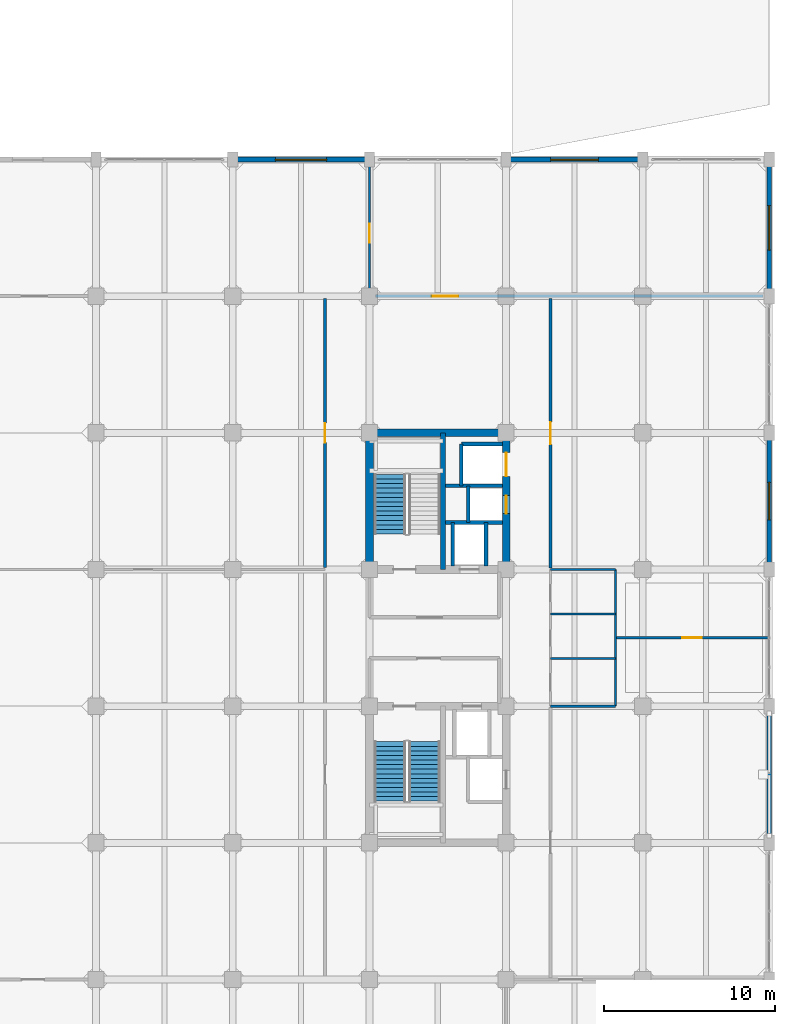
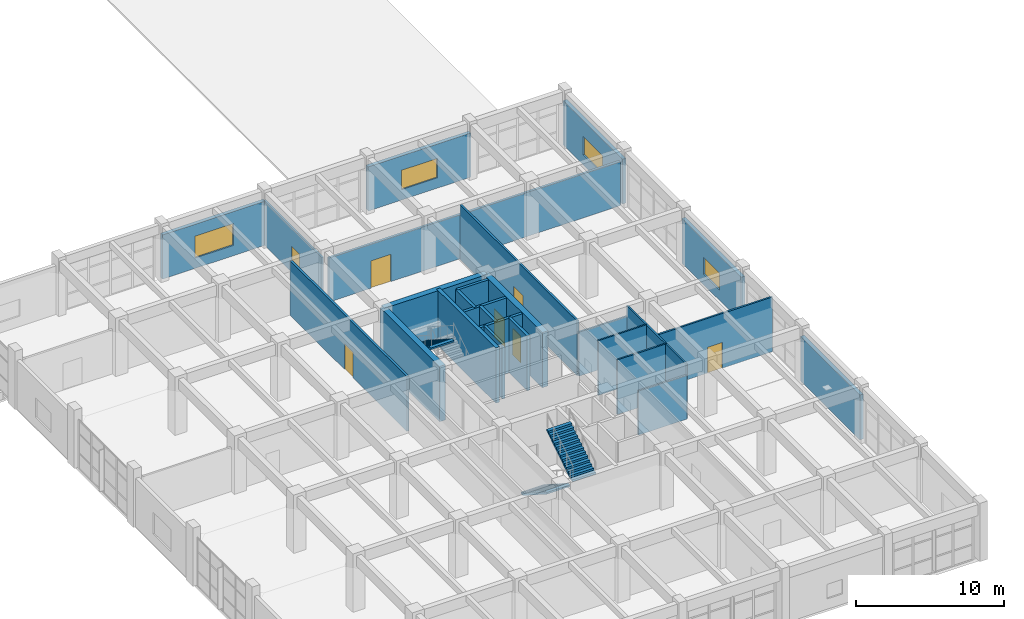
# One storey, part 53 of 63: 26 walls, 7 doors, 4 windows, 3 stair flights, 11 openings, 2 elements without a shape of their own.
"""IFC4 building model written with IfcOpenShell, lengths in metres."""

from ifc_helpers import new_model, si_unit, direction, frame, frame_2d, origin, place, context, subcontext, project, spatial, polyline, rectangle, outline, extrude, material, layer, layer_set, type_object, element, fill, aggregate, save


model = new_model("IFC4")

# Units and contexts
model_context = context("Model", 3, precision=1e-05, world=origin(), true_north=direction((0.0, 1.0)))
body_context = subcontext(model_context, "Body", "Model", "MODEL_VIEW")
ifc_project = project(units=[si_unit("LENGTHUNIT", "METRE"), si_unit("AREAUNIT", "SQUARE_METRE"), si_unit("VOLUMEUNIT", "CUBIC_METRE"), si_unit("PLANEANGLEUNIT", "RADIAN"), si_unit("MASSUNIT", "GRAM", prefix="KILO")], contexts=[model_context])

# Site, building, storey
site_placement = place(None, origin())
site = spatial("IfcSite", under=ifc_project, at=site_placement, CompositionType="ELEMENT")
building_placement = place(site_placement, origin())
building = spatial("IfcBuilding", under=site, at=building_placement, Name="Canggui Botanical Conservatory", CompositionType="ELEMENT")
storey_placement = place(building_placement, frame((0.0, 0.0, 10.199951171875)))
storey = spatial("IfcBuildingStorey", under=building, at=storey_placement, Name="L03", CompositionType="ELEMENT", Elevation=10.199951171875)

# Wall, opening, window
ifc_material_1 = material(Name="Precast Concrete C40", Category="concrete")
ifc_layer_1 = layer(ifc_material_1, 0.280029296875, Name="Precast Concrete C40", Category="concrete")
ifc_layer_set_1 = layer_set([ifc_layer_1], Name="Precast Concrete C40")
wall_type_1 = type_object("IfcWallType", Name="EW-280", PredefinedType="STANDARD", material=ifc_layer_set_1)
wall_1_placement = place(storey_placement, frame((146.0, 82.0, 0.0), z_axis=(0.0, 0.0, 1.0), x_axis=(1.0, 0.0, 0.0)))
wall_1 = element("IfcWall", 1, at=wall_1_placement, inside=storey, type_object=wall_type_1, Name="Tower Insulated Exterior Wall L03-N16", PredefinedType="STANDARD", context=body_context, shape_type="SweptSolid", body=[
    extrude(rectangle(XDim=8.0, YDim=0.280029296875, at=frame_2d((4.0, 0.0))), origin(), (0.0, 0.0, 1.0), 3.630126953125),
])
opening_1_placement = place(wall_1_placement, frame((2.5, 0.0, 0.85009765625)))
opening_1 = element("IfcOpeningElement", 2, at=opening_1_placement, cuts=wall_1, Name="Opening W-07", PredefinedType="OPENING", context=body_context, shape_type="SweptSolid", body=[
    extrude(rectangle(XDim=3.0, YDim=1.800048828125, at=frame_2d((1.5, 0.89990234375))), frame((0.0, 0.14990234375, 0.0), z_axis=(0.0, -1.0, 0.0), x_axis=(1.0, 0.0, 0.0)), (0.0, 0.0, 1.0), 0.300048828125),
])
ifc_material_2 = material(Name="Low-E Insulated Glass", Category="glass")
window_type_1 = type_object("IfcWindowType", Name="WIN-07", PartitioningType="TRIPLE_PANEL_VERTICAL", PredefinedType="WINDOW", material=ifc_material_2)
window_1_placement = place(opening_1_placement, origin())
window_1 = element("IfcWindow", 3, at=window_1_placement, inside=storey, type_object=window_type_1, Name="Tower Window L03-16", OverallHeight=1.800048828125, OverallWidth=3.0, PartitioningType="SINGLE_PANEL", PredefinedType="WINDOW", context=body_context, shape_type="SweptSolid", body=[
    extrude(rectangle(XDim=3.0, YDim=1.800048828125, at=frame_2d((1.5, 0.89990234375))), frame((0.0, 0.030029296875, 0.0), z_axis=(0.0, -1.0, 0.0), x_axis=(1.0, 0.0, 0.0)), (0.0, 0.0, 1.0), 0.06005859375),
])
fill(opening_1, window_1)

wall_2_placement = place(storey_placement, frame((162.0, 82.0, 0.0), z_axis=(0.0, 0.0, 1.0), x_axis=(1.0, 0.0, 0.0)))
wall_2 = element("IfcWall", 4, at=wall_2_placement, inside=storey, type_object=wall_type_1, Name="Tower Insulated Exterior Wall L03-N18", PredefinedType="STANDARD", context=body_context, shape_type="SweptSolid", body=[
    extrude(rectangle(XDim=8.0, YDim=0.280029296875, at=frame_2d((4.0, 0.0))), origin(), (0.0, 0.0, 1.0), 3.630126953125),
])
opening_2_placement = place(wall_2_placement, frame((2.60009765625, 0.0, 0.85009765625)))
opening_2 = element("IfcOpeningElement", 5, at=opening_2_placement, cuts=wall_2, Name="Opening W-08", PredefinedType="OPENING", context=body_context, shape_type="SweptSolid", body=[
    extrude(rectangle(XDim=2.800048828125, YDim=1.60009765625, at=frame_2d((1.39990234375, 0.800048828125))), frame((0.0, 0.14990234375, 0.0), z_axis=(0.0, -1.0, 0.0), x_axis=(1.0, 0.0, 0.0)), (0.0, 0.0, 1.0), 0.300048828125),
])
window_type_2 = type_object("IfcWindowType", Name="WIN-08", PartitioningType="TRIPLE_PANEL_VERTICAL", PredefinedType="WINDOW", material=ifc_material_2)
window_2_placement = place(opening_2_placement, origin())
window_2 = element("IfcWindow", 6, at=window_2_placement, inside=storey, type_object=window_type_2, Name="Tower Window L03-18", OverallHeight=1.60009765625, OverallWidth=2.800048828125, PartitioningType="SINGLE_PANEL", PredefinedType="WINDOW", context=body_context, shape_type="SweptSolid", body=[
    extrude(rectangle(XDim=2.800048828125, YDim=1.60009765625, at=frame_2d((1.39990234375, 0.800048828125))), frame((0.0, 0.030029296875, 0.0), z_axis=(0.0, -1.0, 0.0), x_axis=(1.0, 0.0, 0.0)), (0.0, 0.0, 1.0), 0.06005859375),
])
fill(opening_2, window_2)

wall_3_placement = place(storey_placement, frame((177.39990234375, 82.0, 0.0), z_axis=(0.0, 0.0, 1.0), x_axis=(0.0, -1.0, 0.0)))
wall_3 = element("IfcWall", 7, at=wall_3_placement, inside=storey, type_object=wall_type_1, Name="Tower Insulated Exterior Wall L03-E20", PredefinedType="STANDARD", context=body_context, shape_type="SweptSolid", body=[
    extrude(rectangle(XDim=8.0, YDim=0.280029296875, at=frame_2d((4.0, 0.0))), origin(), (0.0, 0.0, 1.0), 3.679931640625),
])
opening_3_placement = place(wall_3_placement, frame((2.699951171875, 0.0, 0.85009765625)))
opening_3 = element("IfcOpeningElement", 8, at=opening_3_placement, cuts=wall_3, Name="Opening W-09", PredefinedType="OPENING", context=body_context, shape_type="SweptSolid", body=[
    extrude(rectangle(XDim=2.60009765625, YDim=1.5, at=frame_2d((1.300048828125, 0.75))), frame((0.0, 0.14990234375, 0.0), z_axis=(0.0, -1.0, 0.0), x_axis=(1.0, 0.0, 0.0)), (0.0, 0.0, 1.0), 0.300048828125),
])
window_type_3 = type_object("IfcWindowType", Name="WIN-09", PartitioningType="DOUBLE_PANEL_VERTICAL", PredefinedType="WINDOW", material=ifc_material_2)
window_3_placement = place(opening_3_placement, origin())
window_3 = element("IfcWindow", 9, at=window_3_placement, inside=storey, type_object=window_type_3, Name="Tower Window L03-20", OverallHeight=1.5, OverallWidth=2.60009765625, PartitioningType="SINGLE_PANEL", PredefinedType="WINDOW", context=body_context, shape_type="SweptSolid", body=[
    extrude(rectangle(XDim=2.60009765625, YDim=1.5, at=frame_2d((1.300048828125, 0.75))), frame((0.0, 0.030029296875, 0.0), z_axis=(0.0, -1.0, 0.0), x_axis=(1.0, 0.0, 0.0)), (0.0, 0.0, 1.0), 0.06005859375),
])
fill(opening_3, window_3)

wall_4_placement = place(storey_placement, frame((177.39990234375, 66.0, 0.0), z_axis=(0.0, 0.0, 1.0), x_axis=(0.0, -1.0, 0.0)))
wall_4 = element("IfcWall", 10, at=wall_4_placement, inside=storey, type_object=wall_type_1, Name="Tower Insulated Exterior Wall L03-E22", PredefinedType="STANDARD", context=body_context, shape_type="SweptSolid", body=[
    extrude(rectangle(XDim=8.0, YDim=0.280029296875, at=frame_2d((4.0, 0.0))), origin(), (0.0, 0.0, 1.0), 3.679931640625),
])
opening_4_placement = place(wall_4_placement, frame((2.89990234375, 0.0, 0.85009765625)))
opening_4 = element("IfcOpeningElement", 11, at=opening_4_placement, cuts=wall_4, Name="Opening W-10", PredefinedType="OPENING", context=body_context, shape_type="SweptSolid", body=[
    extrude(rectangle(XDim=2.199951171875, YDim=1.39990234375, at=frame_2d((1.10009765625, 0.699951171875))), frame((0.0, 0.14990234375, 0.0), z_axis=(0.0, -1.0, 0.0), x_axis=(1.0, 0.0, 0.0)), (0.0, 0.0, 1.0), 0.300048828125),
])
window_type_4 = type_object("IfcWindowType", Name="WIN-10", PartitioningType="DOUBLE_PANEL_VERTICAL", PredefinedType="WINDOW", material=ifc_material_2)
window_4_placement = place(opening_4_placement, origin())
window_4 = element("IfcWindow", 12, at=window_4_placement, inside=storey, type_object=window_type_4, Name="Tower Window L03-22", OverallHeight=1.39990234375, OverallWidth=2.199951171875, PartitioningType="SINGLE_PANEL", PredefinedType="WINDOW", context=body_context, shape_type="SweptSolid", body=[
    extrude(rectangle(XDim=2.199951171875, YDim=1.39990234375, at=frame_2d((1.10009765625, 0.699951171875))), frame((0.0, 0.030029296875, 0.0), z_axis=(0.0, -1.0, 0.0), x_axis=(1.0, 0.0, 0.0)), (0.0, 0.0, 1.0), 0.06005859375),
])
fill(opening_4, window_4)

# Wall
wall_5_placement = place(storey_placement, frame((177.39990234375, 50.0, 0.0), z_axis=(0.0, 0.0, 1.0), x_axis=(0.0, -1.0, 0.0)))
element("IfcWall", 13, at=wall_5_placement, inside=storey, type_object=wall_type_1, Name="Tower Insulated Exterior Wall L03-E24", PredefinedType="STANDARD", context=body_context, shape_type="SweptSolid", body=[
    extrude(rectangle(XDim=8.0, YDim=0.280029296875, at=frame_2d((4.0, 0.0))), origin(), (0.0, 0.0, 1.0), 3.679931640625),
])

# Wall, opening, door
ifc_material_3 = material(Name="Gypsum Plasterboard Partition")
ifc_layer_2 = layer(ifc_material_3, 0.175048828125, Name="Gypsum Plasterboard Partition")
ifc_layer_set_2 = layer_set([ifc_layer_2], Name="Gypsum Plasterboard Partition")
wall_type_2 = type_object("IfcWallType", Name="IW-CORR-175", PredefinedType="STANDARD", material=ifc_layer_set_2)
wall_6_placement = place(storey_placement, frame((151.39990234375, 58.1201171875, 0.0), z_axis=(0.0, 0.0, 1.0), x_axis=(0.0, 1.0, 0.0)))
wall_6 = element("IfcWall", 14, at=wall_6_placement, inside=storey, type_object=wall_type_2, Name="L03 Gymnosperm Compactor Vault Corridor Wall", PredefinedType="STANDARD", context=body_context, shape_type="SweptSolid", body=[
    extrude(rectangle(XDim=15.759765625, YDim=0.175048828125, at=frame_2d((7.8798828125, 0.0))), origin(), (0.0, 0.0, 1.0), 4.5),
])
opening_5_placement = place(wall_6_placement, frame((7.304931640625, 0.0, 0.0)))
opening_5 = element("IfcOpeningElement", 15, at=opening_5_placement, cuts=wall_6, Name="Opening FD-06", PredefinedType="OPENING", context=body_context, shape_type="SweptSolid", body=[
    extrude(rectangle(XDim=1.14990234375, YDim=2.10009765625, at=frame_2d((0.574951171875, 1.050048828125))), frame((0.0, 0.09765625, 0.0), z_axis=(0.0, -1.0, 0.0), x_axis=(1.0, 0.0, 0.0)), (0.0, 0.0, 1.0), 0.195068359375),
])
ifc_material_4 = material(Name="Powder-Coated Steel", Category="steel")
door_type_1 = type_object("IfcDoorType", Name="FD-06", OperationType="NOTDEFINED", PredefinedType="DOOR", material=ifc_material_4)
door_1_placement = place(opening_5_placement, origin())
door_1 = element("IfcDoor", 16, at=door_1_placement, inside=storey, type_object=door_type_1, Name="L03 Gymnosperm Compactor Vault Entrance Door", OperationType="SINGLE_SWING_RIGHT", OverallHeight=2.10009765625, OverallWidth=1.14990234375, PredefinedType="DOOR", context=body_context, shape_type="SweptSolid", body=[
    extrude(rectangle(XDim=1.14990234375, YDim=2.10009765625, at=frame_2d((0.574951171875, 1.050048828125))), frame((0.0, 0.02490234375, 0.0), z_axis=(0.0, -1.0, 0.0), x_axis=(1.0, 0.0, 0.0)), (0.0, 0.0, 1.0), 0.050048828125),
])
fill(opening_5, door_1)

wall_7_placement = place(storey_placement, frame((154.35009765625, 74.0, 0.0), z_axis=(0.0, 0.0, 1.0), x_axis=(1.0, 0.0, 0.0)))
wall_7 = element("IfcWall", 17, at=wall_7_placement, inside=storey, type_object=wall_type_2, Name="L03 Ethnobotany Carpological Collection North Suite Wall", PredefinedType="STANDARD", context=body_context, shape_type="SweptSolid", body=[
    extrude(rectangle(XDim=22.699951171875, YDim=0.175048828125, at=frame_2d((11.35009765625, 0.0))), origin(), (0.0, 0.0, 1.0), 3.630126953125),
])
opening_6_placement = place(wall_7_placement, frame((3.300048828125, 0.0, 0.0)))
opening_6 = element("IfcOpeningElement", 18, at=opening_6_placement, cuts=wall_7, Name="Opening FD-14", PredefinedType="OPENING", context=body_context, shape_type="SweptSolid", body=[
    extrude(rectangle(XDim=1.550048828125, YDim=2.25, at=frame_2d((0.77490234375, 1.125))), frame((0.0, 0.09765625, 0.0), z_axis=(0.0, -1.0, 0.0), x_axis=(1.0, 0.0, 0.0)), (0.0, 0.0, 1.0), 0.195068359375),
])
door_type_2 = type_object("IfcDoorType", Name="FD-14", OperationType="NOTDEFINED", PredefinedType="DOOR", material=ifc_material_4)
door_2_placement = place(opening_6_placement, origin())
door_2 = element("IfcDoor", 19, at=door_2_placement, inside=storey, type_object=door_type_2, Name="Interior Door IW-L03-NCOR-2", OperationType="SINGLE_SWING_LEFT", OverallHeight=2.25, OverallWidth=1.550048828125, PredefinedType="DOOR", context=body_context, shape_type="SweptSolid", body=[
    extrude(rectangle(XDim=1.550048828125, YDim=2.25, at=frame_2d((0.77490234375, 1.125))), frame((0.0, 0.02490234375, 0.0), z_axis=(0.0, -1.0, 0.0), x_axis=(1.0, 0.0, 0.0)), (0.0, 0.0, 1.0), 0.050048828125),
])
fill(opening_6, door_2)

ifc_layer_3 = layer(ifc_material_3, 0.155029296875, Name="Gypsum Plasterboard Partition")
ifc_layer_set_3 = layer_set([ifc_layer_3], Name="Gypsum Plasterboard Partition")
wall_type_3 = type_object("IfcWallType", Name="IW-LAB-155", PredefinedType="STANDARD", material=ifc_layer_set_3)
wall_8_placement = place(storey_placement, frame((164.60009765625, 58.080078125, 0.0), z_axis=(0.0, 0.0, 1.0), x_axis=(0.0, 1.0, 0.0)))
wall_8 = element("IfcWall", 20, at=wall_8_placement, inside=storey, type_object=wall_type_3, Name="L03 Botanical Illustration Studio Lab Wall", PredefinedType="STANDARD", context=body_context, shape_type="SweptSolid", body=[
    extrude(rectangle(XDim=15.7998046875, YDim=0.155029296875, at=frame_2d((7.89990234375, 0.0))), origin(), (0.0, 0.0, 1.0), 4.5),
])
opening_7_placement = place(wall_8_placement, frame((7.25, 0.0, 0.0)))
opening_7 = element("IfcOpeningElement", 21, at=opening_7_placement, cuts=wall_8, Name="Opening FD-09", PredefinedType="OPENING", context=body_context, shape_type="SweptSolid", body=[
    extrude(rectangle(XDim=1.300048828125, YDim=2.14990234375, at=frame_2d((0.64990234375, 1.074951171875))), frame((0.0, 0.08740234375, 0.0), z_axis=(0.0, -1.0, 0.0), x_axis=(1.0, 0.0, 0.0)), (0.0, 0.0, 1.0), 0.175048828125),
])
door_type_3 = type_object("IfcDoorType", Name="FD-09", OperationType="NOTDEFINED", PredefinedType="DOOR", material=ifc_material_4)
door_3_placement = place(opening_7_placement, origin())
door_3 = element("IfcDoor", 22, at=door_3_placement, inside=storey, type_object=door_type_3, Name="Interior Door IW-L03-ECOR-2-1", OperationType="SINGLE_SWING_LEFT", OverallHeight=2.14990234375, OverallWidth=1.300048828125, PredefinedType="DOOR", context=body_context, shape_type="SweptSolid", body=[
    extrude(rectangle(XDim=1.300048828125, YDim=2.14990234375, at=frame_2d((0.64990234375, 1.074951171875))), frame((0.0, 0.02490234375, 0.0), z_axis=(0.0, -1.0, 0.0), x_axis=(1.0, 0.0, 0.0)), (0.0, 0.0, 1.0), 0.050048828125),
])
fill(opening_7, door_3)

ifc_layer_4 = layer(ifc_material_3, 0.139892578125, Name="Gypsum Plasterboard Partition")
ifc_layer_set_4 = layer_set([ifc_layer_4], Name="Gypsum Plasterboard Partition")
wall_type_4 = type_object("IfcWallType", Name="IW-PART-140", PredefinedType="STANDARD", material=ifc_layer_set_4)
wall_9_placement = place(storey_placement, frame((168.39990234375, 54.0, 0.0), z_axis=(0.0, 0.0, 1.0), x_axis=(1.0, 0.0, 0.0)))
wall_9 = element("IfcWall", 23, at=wall_9_placement, inside=storey, type_object=wall_type_4, Name="L03 Herbarium Curation Workroom Subdivision Wall", PredefinedType="STANDARD", context=body_context, shape_type="SweptSolid", body=[
    extrude(rectangle(XDim=8.960205078125, YDim=0.139892578125, at=frame_2d((4.47998046875, 0.0))), origin(), (0.0, 0.0, 1.0), 4.5),
])
opening_8_placement = place(wall_9_placement, frame((3.89990234375, 0.0, 0.0)))
opening_8 = element("IfcOpeningElement", 24, at=opening_8_placement, cuts=wall_9, Name="Opening ID-07", PredefinedType="OPENING", context=body_context, shape_type="SweptSolid", body=[
    extrude(rectangle(XDim=1.159912109375, YDim=2.1201171875, at=frame_2d((0.580078125, 1.06005859375))), frame((0.0, 0.080078125, 0.0), z_axis=(0.0, -1.0, 0.0), x_axis=(1.0, 0.0, 0.0)), (0.0, 0.0, 1.0), 0.159912109375),
])
ifc_material_5 = material(Name="Engineered Timber Veneer", Category="wood")
door_type_4 = type_object("IfcDoorType", Name="ID-07", OperationType="NOTDEFINED", PredefinedType="DOOR", material=ifc_material_5)
door_4_placement = place(opening_8_placement, origin())
door_4 = element("IfcDoor", 25, at=door_4_placement, inside=storey, type_object=door_type_4, Name="Interior Door IW-L03-EDIV-1", OperationType="SINGLE_SWING_RIGHT", OverallHeight=2.1201171875, OverallWidth=1.159912109375, PredefinedType="DOOR", context=body_context, shape_type="SweptSolid", body=[
    extrude(rectangle(XDim=1.159912109375, YDim=2.1201171875, at=frame_2d((0.580078125, 1.06005859375))), frame((0.0, 0.02490234375, 0.0), z_axis=(0.0, -1.0, 0.0), x_axis=(1.0, 0.0, 0.0)), (0.0, 0.0, 1.0), 0.050048828125),
])
fill(opening_8, door_4)

wall_10_placement = place(storey_placement, frame((154.0, 74.1201171875, 0.0), z_axis=(0.0, 0.0, 1.0), x_axis=(0.0, 1.0, 0.0)))
wall_10 = element("IfcWall", 26, at=wall_10_placement, inside=storey, type_object=wall_type_4, Name="L03 Type Specimen Safe Vault North Cross Wall", PredefinedType="STANDARD", context=body_context, shape_type="SweptSolid", body=[
    extrude(rectangle(XDim=7.829833984375, YDim=0.139892578125, at=frame_2d((3.9150390625, 0.0))), origin(), (0.0, 0.0, 1.0), 3.679931640625),
])
opening_9_placement = place(wall_10_placement, frame((3.0, 0.0, 0.0)))
opening_9 = element("IfcOpeningElement", 27, at=opening_9_placement, cuts=wall_10, Name="Opening ID-06", PredefinedType="OPENING", context=body_context, shape_type="SweptSolid", body=[
    extrude(rectangle(XDim=1.1201171875, YDim=2.1201171875, at=frame_2d((0.56005859375, 1.06005859375))), frame((0.0, 0.080078125, 0.0), z_axis=(0.0, -1.0, 0.0), x_axis=(1.0, 0.0, 0.0)), (0.0, 0.0, 1.0), 0.159912109375),
])
door_type_5 = type_object("IfcDoorType", Name="ID-06", OperationType="NOTDEFINED", PredefinedType="DOOR", material=ifc_material_5)
door_5_placement = place(opening_9_placement, origin())
door_5 = element("IfcDoor", 28, at=door_5_placement, inside=storey, type_object=door_type_5, Name="Interior Door IW-L03-NDIV-1", OperationType="SINGLE_SWING_RIGHT", OverallHeight=2.1201171875, OverallWidth=1.1201171875, PredefinedType="DOOR", context=body_context, shape_type="SweptSolid", body=[
    extrude(rectangle(XDim=1.1201171875, YDim=2.1201171875, at=frame_2d((0.56005859375, 1.06005859375))), frame((0.0, 0.02490234375, 0.0), z_axis=(0.0, -1.0, 0.0), x_axis=(1.0, 0.0, 0.0)), (0.0, 0.0, 1.0), 0.050048828125),
])
fill(opening_9, door_5)

# Walls
ifc_material_6 = material(Name="Concrete C35", Category="concrete")
ifc_layer_5 = layer(ifc_material_6, 0.215087890625, Name="Concrete C35", Category="concrete")
ifc_layer_set_5 = layer_set([ifc_layer_5], Name="Concrete C35")
wall_type_5 = type_object("IfcWallType", Name="IW-SHAFT-215", PredefinedType="STANDARD", material=ifc_layer_set_5)
wall_11_placement = place(storey_placement, frame((158.449951171875, 62.89990234375, 0.0), z_axis=(0.0, 0.0, 1.0), x_axis=(1.0, 0.0, 0.0)))
element("IfcWall", 29, at=wall_11_placement, inside=storey, type_object=wall_type_5, Name="Core T2 Goods Lift Shaft Divider L03", PredefinedType="STANDARD", context=body_context, shape_type="SweptSolid", body=[
    extrude(rectangle(XDim=3.35009765625, YDim=0.215087890625, at=frame_2d((1.675048828125, 0.0))), origin(), (0.0, 0.0, 1.0), 4.5),
])
wall_12_placement = place(storey_placement, frame((160.820068359375, 58.199951171875, 0.0), z_axis=(0.0, 0.0, 1.0), x_axis=(0.0, 1.0, 0.0)))
element("IfcWall", 30, at=wall_12_placement, inside=storey, type_object=wall_type_5, Name="Core T2 Lift Bank Web L03", PredefinedType="STANDARD", context=body_context, shape_type="SweptSolid", body=[
    extrude(rectangle(XDim=2.550048828125, YDim=0.215087890625, at=frame_2d((1.27490234375, 0.0))), origin(), (0.0, 0.0, 1.0), 4.5),
])
wall_13_placement = place(storey_placement, frame((159.3798828125, 62.89990234375, 0.0), z_axis=(0.0, 0.0, 1.0), x_axis=(0.0, 1.0, 0.0)))
element("IfcWall", 31, at=wall_13_placement, inside=storey, type_object=wall_type_5, Name="Core T2 GL-01 West Shaft Wall L03", PredefinedType="STANDARD", context=body_context, shape_type="SweptSolid", body=[
    extrude(rectangle(XDim=2.4501953125, YDim=0.215087890625, at=frame_2d((1.22509765625, 0.0))), origin(), (0.0, 0.0, 1.0), 4.5),
])
wall_14_placement = place(storey_placement, frame((159.3798828125, 65.35009765625, 0.0), z_axis=(0.0, 0.0, 1.0), x_axis=(1.0, 0.0, 0.0)))
element("IfcWall", 32, at=wall_14_placement, inside=storey, type_object=wall_type_5, Name="Core T2 GL-01 North Shaft Wall L03", PredefinedType="STANDARD", context=body_context, shape_type="SweptSolid", body=[
    extrude(rectangle(XDim=2.420166015625, YDim=0.215087890625, at=frame_2d((1.2099609375, 0.0))), origin(), (0.0, 0.0, 1.0), 4.5),
])
wall_15_placement = place(storey_placement, frame((158.449951171875, 60.75, 0.0), z_axis=(0.0, 0.0, 1.0), x_axis=(1.0, 0.0, 0.0)))
element("IfcWall", 33, at=wall_15_placement, inside=storey, type_object=wall_type_5, Name="Core T2 PL-02 South Shaft Wall L03", PredefinedType="STANDARD", context=body_context, shape_type="SweptSolid", body=[
    extrude(rectangle(XDim=3.35009765625, YDim=0.215087890625, at=frame_2d((1.675048828125, 0.0))), origin(), (0.0, 0.0, 1.0), 4.5),
])
wall_16_placement = place(storey_placement, frame((159.780029296875, 60.75, 0.0), z_axis=(0.0, 0.0, 1.0), x_axis=(0.0, 1.0, 0.0)))
element("IfcWall", 34, at=wall_16_placement, inside=storey, type_object=wall_type_5, Name="Core T2 PL-02 West Shaft Wall L03", PredefinedType="STANDARD", context=body_context, shape_type="SweptSolid", body=[
    extrude(rectangle(XDim=2.14990234375, YDim=0.215087890625, at=frame_2d((1.074951171875, 0.0))), origin(), (0.0, 0.0, 1.0), 4.5),
])
wall_17_placement = place(storey_placement, frame((158.8798828125, 58.199951171875, 0.0), z_axis=(0.0, 0.0, 1.0), x_axis=(0.0, 1.0, 0.0)))
element("IfcWall", 35, at=wall_17_placement, inside=storey, type_object=wall_type_5, Name="Core T2 FL-02 West Shaft Wall L03", PredefinedType="STANDARD", context=body_context, shape_type="SweptSolid", body=[
    extrude(rectangle(XDim=2.550048828125, YDim=0.215087890625, at=frame_2d((1.27490234375, 0.0))), origin(), (0.0, 0.0, 1.0), 4.5),
])
ifc_layer_6 = layer(ifc_material_3, 0.125, Name="Gypsum Plasterboard Partition")
ifc_layer_set_6 = layer_set([ifc_layer_6], Name="Gypsum Plasterboard Partition")
wall_type_6 = type_object("IfcWallType", Name="IW-WC-125", PredefinedType="STANDARD", material=ifc_layer_set_6)
wall_18_placement = place(storey_placement, frame((168.39990234375, 50.0, 0.0), z_axis=(0.0, 0.0, 1.0), x_axis=(0.0, 1.0, 0.0)))
element("IfcWall", 36, at=wall_18_placement, inside=storey, type_object=wall_type_6, Name="L03 Restroom Block Back Wall", PredefinedType="STANDARD", context=body_context, shape_type="SweptSolid", body=[
    extrude(rectangle(XDim=8.0, YDim=0.125, at=frame_2d((4.0, 0.0))), origin(), (0.0, 0.0, 1.0), 4.5),
])
wall_19_placement = place(storey_placement, frame((164.60009765625, 50.0, 0.0), z_axis=(0.0, 0.0, 1.0), x_axis=(1.0, 0.0, 0.0)))
element("IfcWall", 37, at=wall_19_placement, inside=storey, type_object=wall_type_6, Name="L03 Restroom Divider Y50.0", PredefinedType="STANDARD", context=body_context, shape_type="SweptSolid", body=[
    extrude(rectangle(XDim=3.7998046875, YDim=0.125, at=frame_2d((1.89990234375, 0.0))), origin(), (0.0, 0.0, 1.0), 3.630126953125),
])
for number, where, z_axis, x_axis, name in (
    (38, (164.60009765625, 52.800048828125, 0.0), (0.0, 0.0, 1.0), (1.0, 0.0, 0.0), "L03 Restroom Divider Y52.8"),
    (39, (164.60009765625, 55.39990234375, 0.0), (0.0, 0.0, 1.0), (1.0, 0.0, 0.0), "L03 Restroom Divider Y55.4"),
):
    element("IfcWall", number, at=place(storey_placement, frame(where, z_axis=z_axis, x_axis=x_axis)), inside=storey, type_object=wall_type_6, Name=name, PredefinedType="STANDARD", context=body_context, shape_type="SweptSolid", body=[
        extrude(rectangle(XDim=3.7998046875, YDim=0.125, at=frame_2d((1.89990234375, 0.0))), origin(), (0.0, 0.0, 1.0), 4.5),
    ])
wall_20_placement = place(storey_placement, frame((164.60009765625, 58.0, 0.0), z_axis=(0.0, 0.0, 1.0), x_axis=(1.0, 0.0, 0.0)))
element("IfcWall", 40, at=wall_20_placement, inside=storey, type_object=wall_type_6, Name="L03 Restroom Divider Y58.0", PredefinedType="STANDARD", context=body_context, shape_type="SweptSolid", body=[
    extrude(rectangle(XDim=3.7998046875, YDim=0.125, at=frame_2d((1.89990234375, 0.0))), origin(), (0.0, 0.0, 1.0), 3.630126953125),
])
ifc_layer_7 = layer(ifc_material_6, 0.280029296875, Name="Concrete C35", Category="concrete")
ifc_layer_set_7 = layer_set([ifc_layer_7], Name="Concrete C35")
wall_type_7 = type_object("IfcWallType", Name="WALL-SH-280-C35", PredefinedType="SHEAR", material=ifc_layer_set_7)
wall_21_placement = place(storey_placement, frame((158.300048828125, 58.0, 0.0), z_axis=(0.0, 0.0, 1.0), x_axis=(0.0, 1.0, 0.0)))
element("IfcWall", 41, at=wall_21_placement, inside=storey, type_object=wall_type_7, Name="Core T2 Internal Shear Web L03", PredefinedType="SHEAR", context=body_context, shape_type="SweptSolid", body=[
    extrude(rectangle(XDim=8.0, YDim=0.280029296875, at=frame_2d((4.0, 0.0))), origin(), (0.0, 0.0, 1.0), 4.550048828125),
])

# Wall, openings, doors
ifc_material_7 = material(Name="Concrete C50", Category="concrete")
ifc_layer_8 = layer(ifc_material_7, 0.449951171875, Name="Concrete C50", Category="concrete")
ifc_layer_set_8 = layer_set([ifc_layer_8], Name="Concrete C50")
wall_type_8 = type_object("IfcWallType", Name="WALL-SH-450-C50", PredefinedType="SHEAR", material=ifc_layer_set_8)
wall_22_placement = place(storey_placement, frame((162.0, 58.0, 0.0), z_axis=(0.0, 0.0, 1.0), x_axis=(0.0, 1.0, 0.0)))
wall_22 = element("IfcWall", 42, at=wall_22_placement, inside=storey, type_object=wall_type_8, Name="Core T2 Shear Wall L03-E", PredefinedType="SHEAR", context=body_context, shape_type="SweptSolid", body=[
    extrude(rectangle(XDim=8.0, YDim=0.449951171875, at=frame_2d((4.0, 0.0))), origin(), (0.0, 0.0, 1.0), 4.550048828125),
])
opening_10_placement = place(wall_22_placement, frame((3.27490234375, 0.0, 0.0)))
opening_10 = element("IfcOpeningElement", 43, at=opening_10_placement, cuts=wall_22, Name="Opening LD-02", PredefinedType="OPENING", context=body_context, shape_type="SweptSolid", body=[
    extrude(rectangle(XDim=1.050048828125, YDim=2.199951171875, at=frame_2d((0.52490234375, 1.10009765625))), frame((0.0, 0.23486328125, 0.0), z_axis=(0.0, -1.0, 0.0), x_axis=(1.0, 0.0, 0.0)), (0.0, 0.0, 1.0), 0.469970703125),
])
opening_11_placement = place(wall_22_placement, frame((5.449951171875, 0.0, 0.0)))
opening_11 = element("IfcOpeningElement", 44, at=opening_11_placement, cuts=wall_22, Name="Opening LD-03", PredefinedType="OPENING", context=body_context, shape_type="SweptSolid", body=[
    extrude(rectangle(XDim=1.39990234375, YDim=2.300048828125, at=frame_2d((0.699951171875, 1.14990234375))), frame((0.0, 0.23486328125, 0.0), z_axis=(0.0, -1.0, 0.0), x_axis=(1.0, 0.0, 0.0)), (0.0, 0.0, 1.0), 0.469970703125),
])
ifc_material_8 = material(Name="Stainless Steel 304", Category="steel")
door_type_6 = type_object("IfcDoorType", Name="LDR-02", OperationType="NOTDEFINED", PredefinedType="DOOR", material=ifc_material_8)
door_6_placement = place(opening_10_placement, origin())
door_6 = element("IfcDoor", 45, at=door_6_placement, inside=storey, type_object=door_type_6, Name="Passenger Lift PL-02 Landing Door L03", OperationType="SLIDING_TO_RIGHT", OverallHeight=2.199951171875, OverallWidth=1.050048828125, PredefinedType="DOOR", context=body_context, shape_type="SweptSolid", body=[
    extrude(rectangle(XDim=1.050048828125, YDim=2.199951171875, at=frame_2d((0.52490234375, 1.10009765625))), frame((0.0, 0.02490234375, 0.0), z_axis=(0.0, -1.0, 0.0), x_axis=(1.0, 0.0, 0.0)), (0.0, 0.0, 1.0), 0.050048828125),
])
fill(opening_10, door_6)
door_type_7 = type_object("IfcDoorType", Name="LDR-03", OperationType="NOTDEFINED", PredefinedType="DOOR", material=ifc_material_8)
door_7_placement = place(opening_11_placement, origin())
door_7 = element("IfcDoor", 46, at=door_7_placement, inside=storey, type_object=door_type_7, Name="Herbarium Goods Lift GL-01 Landing Door L03", OperationType="DOUBLE_DOOR_SLIDING", OverallHeight=2.300048828125, OverallWidth=1.39990234375, PredefinedType="DOOR", context=body_context, shape_type="SweptSolid", body=[
    extrude(rectangle(XDim=1.39990234375, YDim=2.300048828125, at=frame_2d((0.699951171875, 1.14990234375))), frame((0.0, 0.02490234375, 0.0), z_axis=(0.0, -1.0, 0.0), x_axis=(1.0, 0.0, 0.0)), (0.0, 0.0, 1.0), 0.050048828125),
])
fill(opening_11, door_7)

# Walls
for number, where, z_axis, x_axis, name in (
    (47, (162.0, 66.0, 0.0), (0.0, 0.0, 1.0), (-1.0, 0.0, 0.0), "Core T2 Shear Wall L03-N"),
    (48, (154.0, 66.0, 0.0), (0.0, 0.0, 1.0), (0.0, -1.0, 0.0), "Core T2 Shear Wall L03-W"),
):
    element("IfcWall", number, at=place(storey_placement, frame(where, z_axis=z_axis, x_axis=x_axis)), inside=storey, type_object=wall_type_8, Name=name, PredefinedType="SHEAR", context=body_context, shape_type="SweptSolid", body=[
        extrude(rectangle(XDim=8.0, YDim=0.449951171875, at=frame_2d((4.0, 0.0))), origin(), (0.0, 0.0, 1.0), 4.550048828125),
    ])

# Stair, stair flights
stair_type = type_object("IfcStairType", Name="STR-TYPE-4", PredefinedType="HALF_TURN_STAIR", material=ifc_material_6)
stair_1_placement = place(storey_placement, origin())
stair_1 = element("IfcStair", 49, at=stair_1_placement, inside=storey, type_object=stair_type, Name="L03 Tower South Smoke-Proof Stair ST-T1", PredefinedType="HALF_TURN_STAIR")
stair_flight_type = type_object("IfcStairFlightType", Name="SFL-TYPE-4", PredefinedType="STRAIGHT", material=ifc_material_6)
stair_flight_1_placement = place(storey_placement, frame((155.2099609375, 47.919921875, 0.0), z_axis=(0.0, 0.0, 1.0), x_axis=(0.0, -1.0, 0.0)))
stair_flight_1 = element("IfcStairFlight", 50, at=stair_flight_1_placement, type_object=stair_flight_type, Name="ST-T1 flight 1", NumberOfRisers=14, NumberOfTreads=13, PredefinedType="STRAIGHT", RiserHeight=0.171428571, TreadLength=0.268, context=body_context, shape_type="SweptSolid", body=[
    extrude(outline(polyline([(0.0, 0.0), (0.0, 0.17138671875), (0.26806640625, 0.17138671875), (0.26806640625, 0.3427734375), (0.535888671875, 0.3427734375), (0.535888671875, 0.514404296875), (0.803955078125, 0.514404296875), (0.803955078125, 0.685791015625), (1.072021484375, 0.685791015625), (1.072021484375, 0.857177734375), (1.340087890625, 0.857177734375), (1.340087890625, 1.028564453125), (1.60791015625, 1.028564453125), (1.60791015625, 1.199951171875), (1.8759765625, 1.199951171875), (1.8759765625, 1.371337890625), (2.14404296875, 1.371337890625), (2.14404296875, 1.54296875), (2.412109375, 1.54296875), (2.412109375, 1.71435546875), (2.679931640625, 1.71435546875), (2.679931640625, 1.8857421875), (2.947998046875, 1.8857421875), (2.947998046875, 2.05712890625), (3.216064453125, 2.05712890625), (3.216064453125, 2.228515625), (3.48388671875, 2.228515625), (3.48388671875, 2.39990234375), (3.48388671875, 2.0859375), (0.222900390625, 0.0), (0.0, 0.0)])), frame((0.0, 0.91015625, 0.0), z_axis=(0.0, -1.0, 0.0), x_axis=(1.0, 0.0, 0.0)), (0.0, 0.0, 1.0), 1.820068359375),
])
stair_flight_2_placement = place(storey_placement, frame((157.2099609375, 44.43603515625, 2.400146484375), z_axis=(0.0, 0.0, 1.0), x_axis=(0.0, 1.0, 0.0)))
stair_flight_2 = element("IfcStairFlight", 51, at=stair_flight_2_placement, type_object=stair_flight_type, Name="ST-T1 flight 2", NumberOfRisers=14, NumberOfTreads=13, PredefinedType="STRAIGHT", RiserHeight=0.171428571, TreadLength=0.268, context=body_context, shape_type="SweptSolid", body=[
    extrude(outline(polyline([(0.0, 0.0), (0.0, 0.17138671875), (0.26806640625, 0.17138671875), (0.26806640625, 0.3427734375), (0.535888671875, 0.3427734375), (0.535888671875, 0.514404296875), (0.803955078125, 0.514404296875), (0.803955078125, 0.685791015625), (1.072021484375, 0.685791015625), (1.072021484375, 0.857177734375), (1.340087890625, 0.857177734375), (1.340087890625, 1.028564453125), (1.60791015625, 1.028564453125), (1.60791015625, 1.199951171875), (1.8759765625, 1.199951171875), (1.8759765625, 1.371337890625), (2.14404296875, 1.371337890625), (2.14404296875, 1.54296875), (2.412109375, 1.54296875), (2.412109375, 1.71435546875), (2.679931640625, 1.71435546875), (2.679931640625, 1.8857421875), (2.947998046875, 1.8857421875), (2.947998046875, 2.05712890625), (3.216064453125, 2.05712890625), (3.216064453125, 2.228515625), (3.48388671875, 2.228515625), (3.48388671875, 2.39990234375), (3.48388671875, 2.0859375), (0.222900390625, 0.0), (0.0, 0.0)])), frame((0.0, 0.91015625, 0.0), z_axis=(0.0, -1.0, 0.0), x_axis=(1.0, 0.0, 0.0)), (0.0, 0.0, 1.0), 1.820068359375),
])
aggregate(stair_1, [stair_flight_1, stair_flight_2])

# Stair, stair flight
stair_2_placement = place(storey_placement, origin())
stair_2 = element("IfcStair", 52, at=stair_2_placement, inside=storey, type_object=stair_type, Name="L03 Tower North Smoke-Proof Stair ST-T2", PredefinedType="HALF_TURN_STAIR")
stair_flight_3_placement = place(storey_placement, frame((155.2099609375, 63.56396484375, 2.400146484375), z_axis=(0.0, 0.0, 1.0), x_axis=(0.0, -1.0, 0.0)))
stair_flight_3 = element("IfcStairFlight", 53, at=stair_flight_3_placement, type_object=stair_flight_type, Name="ST-T2 flight 2", NumberOfRisers=14, NumberOfTreads=13, PredefinedType="STRAIGHT", RiserHeight=0.171428571, TreadLength=0.268, context=body_context, shape_type="SweptSolid", body=[
    extrude(outline(polyline([(0.0, 0.0), (0.0, 0.17138671875), (0.26806640625, 0.17138671875), (0.26806640625, 0.3427734375), (0.535888671875, 0.3427734375), (0.535888671875, 0.514404296875), (0.803955078125, 0.514404296875), (0.803955078125, 0.685791015625), (1.072021484375, 0.685791015625), (1.072021484375, 0.857177734375), (1.340087890625, 0.857177734375), (1.340087890625, 1.028564453125), (1.60791015625, 1.028564453125), (1.60791015625, 1.199951171875), (1.8759765625, 1.199951171875), (1.8759765625, 1.371337890625), (2.14404296875, 1.371337890625), (2.14404296875, 1.54296875), (2.412109375, 1.54296875), (2.412109375, 1.71435546875), (2.679931640625, 1.71435546875), (2.679931640625, 1.8857421875), (2.947998046875, 1.8857421875), (2.947998046875, 2.05712890625), (3.216064453125, 2.05712890625), (3.216064453125, 2.228515625), (3.48388671875, 2.228515625), (3.48388671875, 2.39990234375), (3.48388671875, 2.0859375), (0.222900390625, 0.0), (0.0, 0.0)])), frame((0.0, 0.91015625, 0.0), z_axis=(0.0, -1.0, 0.0), x_axis=(1.0, 0.0, 0.0)), (0.0, 0.0, 1.0), 1.820068359375),
])
aggregate(stair_2, [stair_flight_3])

save(model, "model.ifc")
